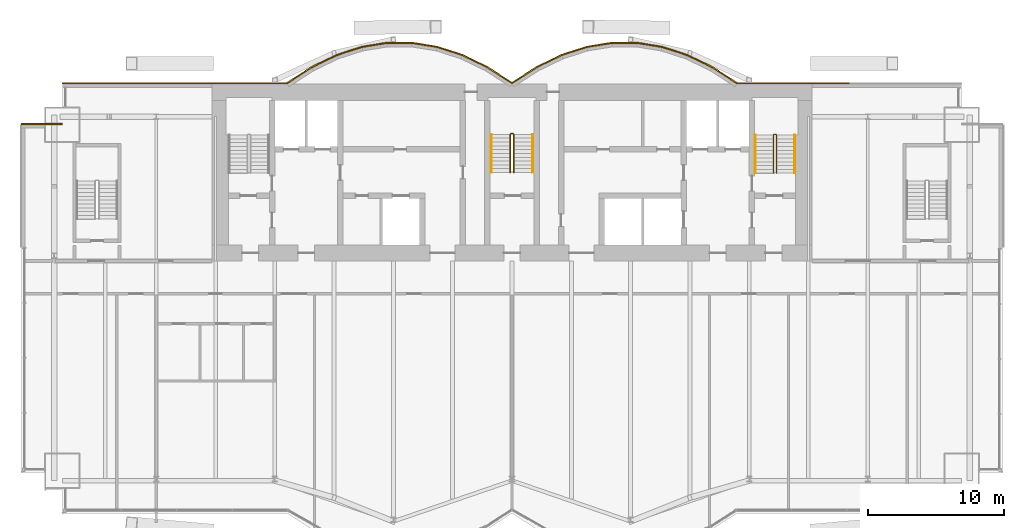
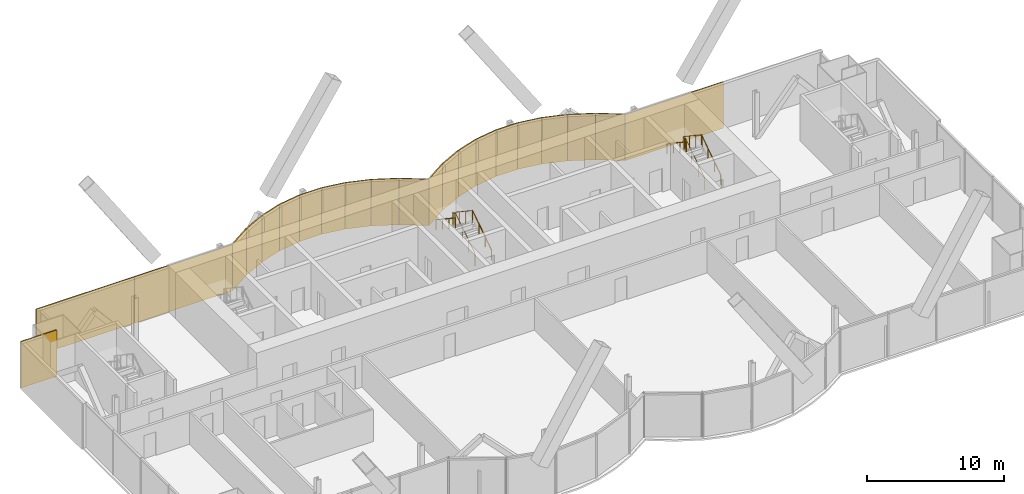
# One storey, part 19 of 20: 22 coverings, 6 railings.
"""IFC4 building model written with IfcOpenShell, lengths in metres."""

from ifc_helpers import new_model, si_unit, direction, frame, origin, origin_2d, place, context, subcontext, project, spatial, rectangle, circle, extrude, material, layer, layer_set, type_object, element, save


model = new_model("IFC4")

# Units and contexts
model_context = context("Model", 3, precision=1e-05, world=origin(), true_north=direction((0.0, 1.0)))
body_context = subcontext(model_context, "Body", "Model", "MODEL_VIEW")
ifc_project = project(units=[si_unit("LENGTHUNIT", "METRE"), si_unit("AREAUNIT", "SQUARE_METRE"), si_unit("VOLUMEUNIT", "CUBIC_METRE"), si_unit("PLANEANGLEUNIT", "RADIAN"), si_unit("MASSUNIT", "GRAM", prefix="KILO")], contexts=[model_context])

# Site, building, storey
site_placement = place(None, origin())
site = spatial("IfcSite", under=ifc_project, at=site_placement, CompositionType="ELEMENT")
building_placement = place(site_placement, origin())
building = spatial("IfcBuilding", under=site, at=building_placement, Name="Bicima Exchange Tower", CompositionType="ELEMENT")
storey_placement = place(building_placement, frame((0.0, 0.0, 219.60009765625)))
storey = spatial("IfcBuildingStorey", under=building, at=storey_placement, Name="L49", CompositionType="ELEMENT", Elevation=219.60009765625)

# Coverings
ifc_material_1 = material(Name="Bronze metal cladding")
ifc_layer_1 = layer(ifc_material_1, 0.004)
ifc_material_2 = material(Name="Ventilated cavity")
ifc_layer_2 = layer(ifc_material_2, 0.06)
ifc_material_3 = material(Name="Galvanised steel rail and mineral wool", Category="steel")
ifc_layer_3 = layer(ifc_material_3, 0.036)
ifc_layer_set = layer_set([ifc_layer_1, ifc_layer_2, ifc_layer_3], Name="Ventilated cavity")
covering_type = type_object("IfcCoveringType", Name="Bronze metal cladding panel 100", PredefinedType="CLADDING", material=ifc_layer_set)
covering_1_placement = place(storey_placement, frame((20.625, 0.050048828125, -0.150146484375), z_axis=(0.0, 0.0, 1.0), x_axis=(-1.0, 0.0, 0.0)))
element("IfcCovering", 1, at=covering_1_placement, inside=storey, type_object=covering_type, Name="Bronze cladding L49 1.2", PredefinedType="CLADDING", context=body_context, shape_type="SweptSolid", body=[
    extrude(rectangle(XDim=8.25, YDim=0.10009765625, at=origin_2d()), origin(), (0.0, 0.0, 1.0), 4.10009765625),
])
covering_2_placement = place(storey_placement, frame((15.610595703125, 0.634521484375, -0.150146484375), z_axis=(0.0, 0.0, 1.0), x_axis=(-0.839790466384, 0.542910648791, 0.0)))
element("IfcCovering", 2, at=covering_2_placement, inside=storey, type_object=covering_type, Name="Bronze cladding L49 2.1", PredefinedType="CLADDING", context=body_context, shape_type="SweptSolid", body=[
    extrude(rectangle(XDim=2.18310546875, YDim=0.10009765625, at=origin_2d()), origin(), (0.0, 0.0, 1.0), 4.10009765625),
])
covering_3_placement = place(storey_placement, frame((13.771728515625, 1.674560546875, -0.150146484375), z_axis=(0.0, 0.0, 1.0), x_axis=(-0.899818346812, 0.436264762204, 0.0)))
element("IfcCovering", 3, at=covering_3_placement, inside=storey, type_object=covering_type, Name="Bronze cladding L49 3.1", PredefinedType="CLADDING", context=body_context, shape_type="SweptSolid", body=[
    extrude(rectangle(XDim=2.03759765625, YDim=0.10009765625, at=origin_2d()), origin(), (0.0, 0.0, 1.0), 4.10009765625),
])
covering_4_placement = place(storey_placement, frame((11.931884765625, 2.41796875, -0.150146484375), z_axis=(0.0, 0.0, 1.0), x_axis=(-0.951524642381, 0.307572519808, 0.0)))
element("IfcCovering", 4, at=covering_4_placement, inside=storey, type_object=covering_type, Name="Bronze cladding L49 4.1", PredefinedType="CLADDING", context=body_context, shape_type="SweptSolid", body=[
    extrude(rectangle(XDim=1.9267578125, YDim=0.10009765625, at=origin_2d()), origin(), (0.0, 0.0, 1.0), 4.10009765625),
])
covering_5_placement = place(storey_placement, frame((10.09130859375, 2.8642578125, -0.150146484375), z_axis=(0.0, 0.0, 1.0), x_axis=(-0.987189786347, 0.159550386184, 0.0)))
element("IfcCovering", 5, at=covering_5_placement, inside=storey, type_object=covering_type, Name="Bronze cladding L49 5.1", PredefinedType="CLADDING", context=body_context, shape_type="SweptSolid", body=[
    extrude(rectangle(XDim=1.857177734375, YDim=0.10009765625, at=origin_2d()), origin(), (0.0, 0.0, 1.0), 4.10009765625),
])
covering_6_placement = place(storey_placement, frame((8.25, 3.012939453125, -0.150146484375), z_axis=(0.0, 0.0, 1.0), x_axis=(-1.0, 0.0, 0.0)))
element("IfcCovering", 6, at=covering_6_placement, inside=storey, type_object=covering_type, Name="Bronze cladding L49 6.1", PredefinedType="CLADDING", context=body_context, shape_type="SweptSolid", body=[
    extrude(rectangle(XDim=1.83349609375, YDim=0.10009765625, at=origin_2d()), origin(), (0.0, 0.0, 1.0), 4.10009765625),
])
covering_7_placement = place(storey_placement, frame((6.40869140625, 2.8642578125, -0.150146484375), z_axis=(0.0, 0.0, 1.0), x_axis=(-0.987189786347, -0.159550386184, 0.0)))
element("IfcCovering", 7, at=covering_7_placement, inside=storey, type_object=covering_type, Name="Bronze cladding L49 7.1", PredefinedType="CLADDING", context=body_context, shape_type="SweptSolid", body=[
    extrude(rectangle(XDim=1.857177734375, YDim=0.10009765625, at=origin_2d()), origin(), (0.0, 0.0, 1.0), 4.10009765625),
])
covering_8_placement = place(storey_placement, frame((4.568115234375, 2.41796875, -0.150146484375), z_axis=(0.0, 0.0, 1.0), x_axis=(-0.951524642381, -0.307572519808, 0.0)))
element("IfcCovering", 8, at=covering_8_placement, inside=storey, type_object=covering_type, Name="Bronze cladding L49 8.1", PredefinedType="CLADDING", context=body_context, shape_type="SweptSolid", body=[
    extrude(rectangle(XDim=1.9267578125, YDim=0.10009765625, at=origin_2d()), origin(), (0.0, 0.0, 1.0), 4.10009765625),
])
covering_9_placement = place(storey_placement, frame((2.728271484375, 1.674560546875, -0.150146484375), z_axis=(0.0, 0.0, 1.0), x_axis=(-0.899818346812, -0.436264762204, 0.0)))
element("IfcCovering", 9, at=covering_9_placement, inside=storey, type_object=covering_type, Name="Bronze cladding L49 9.1", PredefinedType="CLADDING", context=body_context, shape_type="SweptSolid", body=[
    extrude(rectangle(XDim=2.03759765625, YDim=0.10009765625, at=origin_2d()), origin(), (0.0, 0.0, 1.0), 4.10009765625),
])
for number, where, z_axis, x_axis, name in (
    (10, (0.889404296875, 0.634521484375, -0.150146484375), (0.0, 0.0, 1.0), (-0.839790466384, -0.542910648791, 0.0), "Bronze cladding L49 10.1"),
    (11, (-0.889404296875, 0.634521484375, -0.150146484375), (0.0, 0.0, 1.0), (-0.839790466384, 0.542910648791, 0.0), "Bronze cladding L49 11.1"),
):
    element("IfcCovering", number, at=place(storey_placement, frame(where, z_axis=z_axis, x_axis=x_axis)), inside=storey, type_object=covering_type, Name=name, PredefinedType="CLADDING", context=body_context, shape_type="SweptSolid", body=[
        extrude(rectangle(XDim=2.18310546875, YDim=0.10009765625, at=origin_2d()), origin(), (0.0, 0.0, 1.0), 4.10009765625),
    ])
covering_10_placement = place(storey_placement, frame((-2.728271484375, 1.674560546875, -0.150146484375), z_axis=(0.0, 0.0, 1.0), x_axis=(-0.899818346812, 0.436264762204, 0.0)))
element("IfcCovering", 12, at=covering_10_placement, inside=storey, type_object=covering_type, Name="Bronze cladding L49 12.1", PredefinedType="CLADDING", context=body_context, shape_type="SweptSolid", body=[
    extrude(rectangle(XDim=2.03759765625, YDim=0.10009765625, at=origin_2d()), origin(), (0.0, 0.0, 1.0), 4.10009765625),
])
covering_11_placement = place(storey_placement, frame((-4.568115234375, 2.41796875, -0.150146484375), z_axis=(0.0, 0.0, 1.0), x_axis=(-0.951524642381, 0.307572519808, 0.0)))
element("IfcCovering", 13, at=covering_11_placement, inside=storey, type_object=covering_type, Name="Bronze cladding L49 13.1", PredefinedType="CLADDING", context=body_context, shape_type="SweptSolid", body=[
    extrude(rectangle(XDim=1.9267578125, YDim=0.10009765625, at=origin_2d()), origin(), (0.0, 0.0, 1.0), 4.10009765625),
])
covering_12_placement = place(storey_placement, frame((-6.40869140625, 2.8642578125, -0.150146484375), z_axis=(0.0, 0.0, 1.0), x_axis=(-0.987189786347, 0.159550386184, 0.0)))
element("IfcCovering", 14, at=covering_12_placement, inside=storey, type_object=covering_type, Name="Bronze cladding L49 14.1", PredefinedType="CLADDING", context=body_context, shape_type="SweptSolid", body=[
    extrude(rectangle(XDim=1.857177734375, YDim=0.10009765625, at=origin_2d()), origin(), (0.0, 0.0, 1.0), 4.10009765625),
])
covering_13_placement = place(storey_placement, frame((-8.25, 3.012939453125, -0.150146484375), z_axis=(0.0, 0.0, 1.0), x_axis=(-1.0, 0.0, 0.0)))
element("IfcCovering", 15, at=covering_13_placement, inside=storey, type_object=covering_type, Name="Bronze cladding L49 15.1", PredefinedType="CLADDING", context=body_context, shape_type="SweptSolid", body=[
    extrude(rectangle(XDim=1.83349609375, YDim=0.10009765625, at=origin_2d()), origin(), (0.0, 0.0, 1.0), 4.10009765625),
])
covering_14_placement = place(storey_placement, frame((-10.09130859375, 2.8642578125, -0.150146484375), z_axis=(0.0, 0.0, 1.0), x_axis=(-0.987189786347, -0.159550386184, 0.0)))
element("IfcCovering", 16, at=covering_14_placement, inside=storey, type_object=covering_type, Name="Bronze cladding L49 16.1", PredefinedType="CLADDING", context=body_context, shape_type="SweptSolid", body=[
    extrude(rectangle(XDim=1.857177734375, YDim=0.10009765625, at=origin_2d()), origin(), (0.0, 0.0, 1.0), 4.10009765625),
])
covering_15_placement = place(storey_placement, frame((-11.931884765625, 2.41796875, -0.150146484375), z_axis=(0.0, 0.0, 1.0), x_axis=(-0.951524642381, -0.307572519808, 0.0)))
element("IfcCovering", 17, at=covering_15_placement, inside=storey, type_object=covering_type, Name="Bronze cladding L49 17.1", PredefinedType="CLADDING", context=body_context, shape_type="SweptSolid", body=[
    extrude(rectangle(XDim=1.9267578125, YDim=0.10009765625, at=origin_2d()), origin(), (0.0, 0.0, 1.0), 4.10009765625),
])
covering_16_placement = place(storey_placement, frame((-13.771728515625, 1.674560546875, -0.150146484375), z_axis=(0.0, 0.0, 1.0), x_axis=(-0.899818346812, -0.436264762204, 0.0)))
element("IfcCovering", 18, at=covering_16_placement, inside=storey, type_object=covering_type, Name="Bronze cladding L49 18.1", PredefinedType="CLADDING", context=body_context, shape_type="SweptSolid", body=[
    extrude(rectangle(XDim=2.03759765625, YDim=0.10009765625, at=origin_2d()), origin(), (0.0, 0.0, 1.0), 4.10009765625),
])
covering_17_placement = place(storey_placement, frame((-15.610595703125, 0.634521484375, -0.150146484375), z_axis=(0.0, 0.0, 1.0), x_axis=(-0.839790466384, -0.542910648791, 0.0)))
element("IfcCovering", 19, at=covering_17_placement, inside=storey, type_object=covering_type, Name="Bronze cladding L49 19.1", PredefinedType="CLADDING", context=body_context, shape_type="SweptSolid", body=[
    extrude(rectangle(XDim=2.18310546875, YDim=0.10009765625, at=origin_2d()), origin(), (0.0, 0.0, 1.0), 4.10009765625),
])
for number, where, z_axis, x_axis, name in (
    (20, (-20.625, 0.050048828125, -0.150146484375), (0.0, 0.0, 1.0), (-1.0, 0.0, 0.0), "Bronze cladding L49 20.1"),
    (21, (-28.875, 0.050048828125, -0.150146484375), (0.0, 0.0, 1.0), (-1.0, 0.0, 0.0), "Bronze cladding L49 20.2"),
):
    element("IfcCovering", number, at=place(storey_placement, frame(where, z_axis=z_axis, x_axis=x_axis)), inside=storey, type_object=covering_type, Name=name, PredefinedType="CLADDING", context=body_context, shape_type="SweptSolid", body=[
        extrude(rectangle(XDim=8.25, YDim=0.10009765625, at=origin_2d()), origin(), (0.0, 0.0, 1.0), 4.10009765625),
    ])
covering_18_placement = place(storey_placement, frame((-34.5, -2.949951171875, -0.150146484375), z_axis=(0.0, 0.0, 1.0), x_axis=(-1.0, 0.0, 0.0)))
element("IfcCovering", 22, at=covering_18_placement, inside=storey, type_object=covering_type, Name="Bronze cladding L49 22.1", PredefinedType="CLADDING", context=body_context, shape_type="SweptSolid", body=[
    extrude(rectangle(XDim=3.0, YDim=0.10009765625, at=origin_2d()), origin(), (0.0, 0.0, 1.0), 4.10009765625),
])

# Railings
ifc_material_4 = material(Name="Stainless steel", Category="steel")
railing_type_1 = type_object("IfcRailingType", Name="Stair guard 1100", PredefinedType="GUARDRAIL", material=ifc_material_4)
railing_1_placement = place(storey_placement, frame((0.125, -6.5, 0.186279296875)))
element("IfcRailing", 23, at=railing_1_placement, inside=storey, type_object=railing_type_1, Name="L49 ST-C stair guard 1", PredefinedType="GUARDRAIL", context=body_context, shape_type="SweptSolid", body=[
    extrude(circle(Radius=0.02392578125, at=origin_2d()), frame((0.0, 0.0, 1.076171875), z_axis=(0.0, 0.832485552168, 0.554046753832), x_axis=(-1.0, 0.0, 0.0)), (0.0, 0.0, 1.0), 3.363525390625),
    extrude(circle(Radius=0.02392578125, at=origin_2d()), frame((0.0, 2.800048828125, 2.939453125), z_axis=(-0.707106781187, 0.707106781187, 0.0), x_axis=(-0.707106781187, -0.707106781187, 0.0)), (0.0, 0.0, 1.0), 0.07080078125),
    extrude(circle(Radius=0.02392578125, at=origin_2d()), frame((-0.050048828125, 2.85009765625, 2.939453125), z_axis=(-1.0, 0.0, 0.0), x_axis=(0.0, -1.0, 0.0)), (0.0, 0.0, 1.0), 0.14990234375),
    extrude(circle(Radius=0.02392578125, at=origin_2d()), frame((-0.199951171875, 2.85009765625, 2.939453125), z_axis=(-0.250869701741, -0.250869701741, 0.934948546978), x_axis=(0.707106781187, -0.707106781187, 0.0)), (0.0, 0.0, 1.0), 0.199462890625),
    extrude(circle(Radius=0.02392578125, at=origin_2d()), frame((-0.25, 2.800048828125, 3.1259765625), z_axis=(0.0, -0.832485552168, 0.554046753832), x_axis=(1.0, 0.0, 0.0)), (0.0, 0.0, 1.0), 3.363525390625),
    extrude(circle(Radius=0.02099609375, at=origin_2d()), origin(), (0.0, 0.0, 1.0), 1.052001953125),
    extrude(circle(Radius=0.02099609375, at=origin_2d()), frame((0.0, 0.933349609375, 0.62109375)), (0.0, 0.0, 1.0), 1.052001953125),
    extrude(circle(Radius=0.02099609375, at=origin_2d()), frame((0.0, 1.86669921875, 1.242431640625)), (0.0, 0.0, 1.0), 1.052001953125),
    extrude(circle(Radius=0.02099609375, at=origin_2d()), frame((0.0, 2.800048828125, 1.863525390625)), (0.0, 0.0, 1.0), 1.052001953125),
    extrude(circle(Radius=0.02099609375, at=origin_2d()), frame((-0.050048828125, 2.85009765625, 1.863525390625)), (0.0, 0.0, 1.0), 1.052001953125),
    extrude(circle(Radius=0.02099609375, at=origin_2d()), frame((-0.199951171875, 2.85009765625, 1.863525390625)), (0.0, 0.0, 1.0), 1.052001953125),
    extrude(circle(Radius=0.02099609375, at=origin_2d()), frame((-0.25, 2.800048828125, 2.050048828125)), (0.0, 0.0, 1.0), 1.052001953125),
    extrude(circle(Radius=0.02099609375, at=origin_2d()), frame((-0.25, 1.86669921875, 2.671142578125)), (0.0, 0.0, 1.0), 1.052001953125),
    extrude(circle(Radius=0.02099609375, at=origin_2d()), frame((-0.25, 0.933349609375, 3.29248046875)), (0.0, 0.0, 1.0), 1.052001953125),
    extrude(circle(Radius=0.02099609375, at=origin_2d()), frame((-0.25, 0.0, 3.91357421875)), (0.0, 0.0, 1.0), 1.052001953125),
])
railing_2_placement = place(storey_placement, frame((19.39990234375, -6.550048828125, 0.186279296875)))
element("IfcRailing", 24, at=railing_2_placement, inside=storey, type_object=railing_type_1, Name="L49 ST-E stair guard 1", PredefinedType="GUARDRAIL", context=body_context, shape_type="SweptSolid", body=[
    extrude(circle(Radius=0.02392578125, at=origin_2d()), frame((0.0, 0.0, 1.076171875), z_axis=(0.0, 0.832485552168, 0.554046753832), x_axis=(-1.0, 0.0, 0.0)), (0.0, 0.0, 1.0), 3.363525390625),
    extrude(circle(Radius=0.02392578125, at=origin_2d()), frame((0.0, 2.800048828125, 2.939453125), z_axis=(-0.705375805398, 0.708833529934, 0.0), x_axis=(-0.708833529934, -0.705375805398, 0.0)), (0.0, 0.0, 1.0), 0.070556640625),
    extrude(circle(Radius=0.02392578125, at=origin_2d()), frame((-0.0498046875, 2.85009765625, 2.939453125), z_axis=(-1.0, 0.0, 0.0), x_axis=(0.0, -1.0, 0.0)), (0.0, 0.0, 1.0), 0.10009765625),
    extrude(circle(Radius=0.02392578125, at=origin_2d()), frame((-0.14990234375, 2.85009765625, 2.939453125), z_axis=(-0.250869701741, -0.250869701741, 0.934948546978), x_axis=(0.707106781187, -0.707106781187, 0.0)), (0.0, 0.0, 1.0), 0.199462890625),
    extrude(circle(Radius=0.02392578125, at=origin_2d()), frame((-0.199951171875, 2.800048828125, 3.1259765625), z_axis=(0.0, -0.832485552168, 0.554046753832), x_axis=(1.0, 0.0, 0.0)), (0.0, 0.0, 1.0), 3.363525390625),
    extrude(circle(Radius=0.02099609375, at=origin_2d()), origin(), (0.0, 0.0, 1.0), 1.052001953125),
    extrude(circle(Radius=0.02099609375, at=origin_2d()), frame((0.0, 0.933349609375, 0.62109375)), (0.0, 0.0, 1.0), 1.052001953125),
    extrude(circle(Radius=0.02099609375, at=origin_2d()), frame((0.0, 1.86669921875, 1.242431640625)), (0.0, 0.0, 1.0), 1.052001953125),
    extrude(circle(Radius=0.02099609375, at=origin_2d()), frame((0.0, 2.800048828125, 1.863525390625)), (0.0, 0.0, 1.0), 1.052001953125),
    extrude(circle(Radius=0.02099609375, at=origin_2d()), frame((-0.0498046875, 2.85009765625, 1.863525390625)), (0.0, 0.0, 1.0), 1.052001953125),
    extrude(circle(Radius=0.02099609375, at=origin_2d()), frame((-0.14990234375, 2.85009765625, 1.863525390625)), (0.0, 0.0, 1.0), 1.052001953125),
    extrude(circle(Radius=0.02099609375, at=origin_2d()), frame((-0.199951171875, 2.800048828125, 2.050048828125)), (0.0, 0.0, 1.0), 1.052001953125),
    extrude(circle(Radius=0.02099609375, at=origin_2d()), frame((-0.199951171875, 1.86669921875, 2.671142578125)), (0.0, 0.0, 1.0), 1.052001953125),
    extrude(circle(Radius=0.02099609375, at=origin_2d()), frame((-0.199951171875, 0.933349609375, 3.29248046875)), (0.0, 0.0, 1.0), 1.052001953125),
    extrude(circle(Radius=0.02099609375, at=origin_2d()), frame((-0.199951171875, 0.0, 3.91357421875)), (0.0, 0.0, 1.0), 1.052001953125),
])
railing_type_2 = type_object("IfcRailingType", Name="Stair handrail 900", PredefinedType="HANDRAIL", material=ifc_material_4)
railing_3_placement = place(storey_placement, frame((1.52490234375, -6.5, 0.186279296875)))
element("IfcRailing", 25, at=railing_3_placement, inside=storey, type_object=railing_type_2, Name="L49 ST-C stair handrail 1", PredefinedType="HANDRAIL", context=body_context, shape_type="SweptSolid", body=[
    extrude(circle(Radius=0.02392578125, at=origin_2d()), frame((0.0, 0.0, 0.8759765625), z_axis=(0.0, 0.832485552168, 0.554046753832), x_axis=(-1.0, 0.0, 0.0)), (0.0, 0.0, 1.0), 3.363525390625),
    extrude(circle(Radius=0.02099609375, at=origin_2d()), origin(), (0.0, 0.0, 1.0), 0.851806640625),
    extrude(circle(Radius=0.02099609375, at=origin_2d()), frame((0.0, 0.933349609375, 0.62109375)), (0.0, 0.0, 1.0), 0.851806640625),
    extrude(circle(Radius=0.02099609375, at=origin_2d()), frame((0.0, 1.86669921875, 1.242431640625)), (0.0, 0.0, 1.0), 0.851806640625),
    extrude(circle(Radius=0.02099609375, at=origin_2d()), frame((0.0, 2.800048828125, 1.863525390625)), (0.0, 0.0, 1.0), 0.851806640625),
])
railing_4_placement = place(storey_placement, frame((-1.52490234375, -3.699951171875, 2.276611328125)))
element("IfcRailing", 26, at=railing_4_placement, inside=storey, type_object=railing_type_2, Name="L49 ST-C stair handrail 2", PredefinedType="HANDRAIL", context=body_context, shape_type="SweptSolid", body=[
    extrude(circle(Radius=0.02392578125, at=origin_2d()), frame((0.0, 0.0, 0.8759765625), z_axis=(0.0, -0.832452072856, 0.554097055034), x_axis=(1.0, 0.0, 0.0)), (0.0, 0.0, 1.0), 3.363525390625),
    extrude(circle(Radius=0.02099609375, at=origin_2d()), origin(), (0.0, 0.0, 1.0), 0.851806640625),
    extrude(circle(Radius=0.02099609375, at=origin_2d()), frame((0.0, -0.933349609375, 0.621337890625)), (0.0, 0.0, 1.0), 0.851806640625),
    extrude(circle(Radius=0.02099609375, at=origin_2d()), frame((0.0, -1.86669921875, 1.242431640625)), (0.0, 0.0, 1.0), 0.851806640625),
    extrude(circle(Radius=0.02099609375, at=origin_2d()), frame((0.0, -2.800048828125, 1.86376953125)), (0.0, 0.0, 1.0), 0.851806640625),
])
railing_5_placement = place(storey_placement, frame((20.75, -6.550048828125, 0.186279296875)))
element("IfcRailing", 27, at=railing_5_placement, inside=storey, type_object=railing_type_2, Name="L49 ST-E stair handrail 1", PredefinedType="HANDRAIL", context=body_context, shape_type="SweptSolid", body=[
    extrude(circle(Radius=0.02392578125, at=origin_2d()), frame((0.0, 0.0, 0.8759765625), z_axis=(0.0, 0.832485552168, 0.554046753832), x_axis=(-1.0, 0.0, 0.0)), (0.0, 0.0, 1.0), 3.363525390625),
    extrude(circle(Radius=0.02099609375, at=origin_2d()), origin(), (0.0, 0.0, 1.0), 0.851806640625),
    extrude(circle(Radius=0.02099609375, at=origin_2d()), frame((0.0, 0.933349609375, 0.62109375)), (0.0, 0.0, 1.0), 0.851806640625),
    extrude(circle(Radius=0.02099609375, at=origin_2d()), frame((0.0, 1.86669921875, 1.242431640625)), (0.0, 0.0, 1.0), 0.851806640625),
    extrude(circle(Radius=0.02099609375, at=origin_2d()), frame((0.0, 2.800048828125, 1.863525390625)), (0.0, 0.0, 1.0), 0.851806640625),
])
railing_6_placement = place(storey_placement, frame((17.85009765625, -3.75, 2.276611328125)))
element("IfcRailing", 28, at=railing_6_placement, inside=storey, type_object=railing_type_2, Name="L49 ST-E stair handrail 2", PredefinedType="HANDRAIL", context=body_context, shape_type="SweptSolid", body=[
    extrude(circle(Radius=0.02392578125, at=origin_2d()), frame((0.0, 0.0, 0.8759765625), z_axis=(0.0, -0.832452072856, 0.554097055034), x_axis=(1.0, 0.0, 0.0)), (0.0, 0.0, 1.0), 3.363525390625),
    extrude(circle(Radius=0.02099609375, at=origin_2d()), origin(), (0.0, 0.0, 1.0), 0.851806640625),
    extrude(circle(Radius=0.02099609375, at=origin_2d()), frame((0.0, -0.933349609375, 0.621337890625)), (0.0, 0.0, 1.0), 0.851806640625),
    extrude(circle(Radius=0.02099609375, at=origin_2d()), frame((0.0, -1.86669921875, 1.242431640625)), (0.0, 0.0, 1.0), 0.851806640625),
    extrude(circle(Radius=0.02099609375, at=origin_2d()), frame((0.0, -2.800048828125, 1.86376953125)), (0.0, 0.0, 1.0), 0.851806640625),
])

save(model, "model.ifc")
